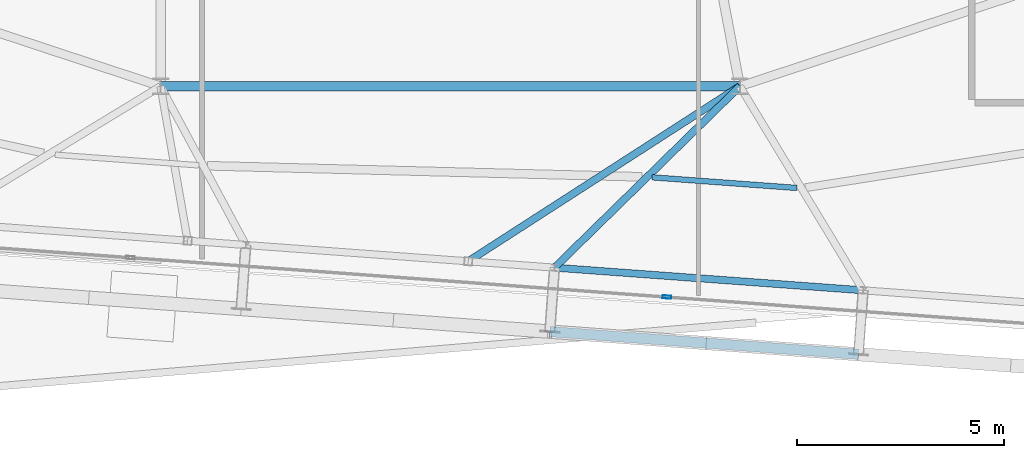
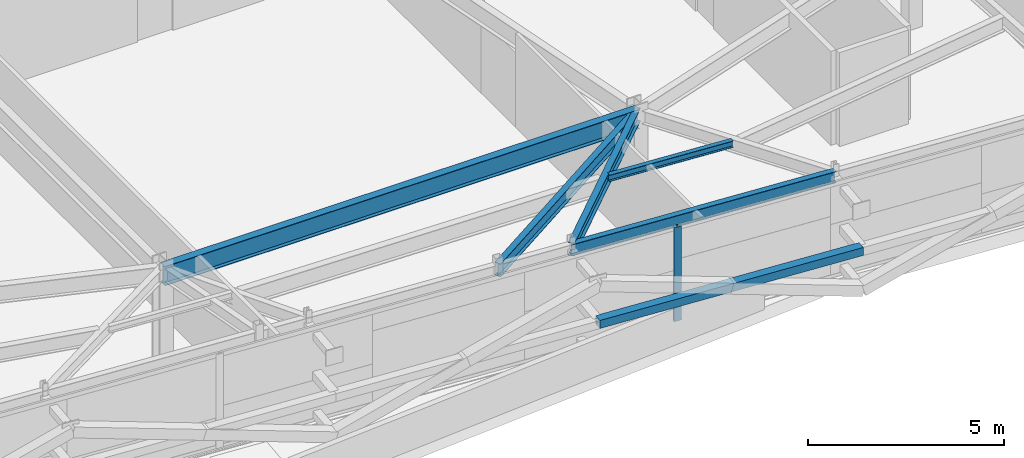
# One storey, part 12 of 37: 5 beams, 2 members, 1 element without a shape of its own.
"""IFC4 building model written with IfcOpenShell, lengths in metres."""

from ifc_helpers import new_model, si_unit, direction, frame, origin, origin_2d, place, context, subcontext, project, spatial, hollow_rectangle, i_section, extrude, source, transform, mapped, material, layer, layer_set, material_profile, profile_set, type_object, element, aggregate, save


model = new_model("IFC4")

# Units and contexts
model_context = context("Model", 3, precision=1e-05, world=origin(), true_north=direction((0.0, 1.0)))
body_context = subcontext(model_context, "Body", "Model", "MODEL_VIEW")
ifc_project = project(units=[si_unit("LENGTHUNIT", "METRE"), si_unit("AREAUNIT", "SQUARE_METRE"), si_unit("VOLUMEUNIT", "CUBIC_METRE"), si_unit("PLANEANGLEUNIT", "RADIAN"), si_unit("MASSUNIT", "GRAM", prefix="KILO")], contexts=[model_context])

# Site, building, storey
site_placement = place(None, origin())
site = spatial("IfcSite", under=ifc_project, at=site_placement, CompositionType="ELEMENT")
building_placement = place(site_placement, origin())
building = spatial("IfcBuilding", under=site, at=building_placement, Name="Taldren Reach Tower", CompositionType="ELEMENT")
storey_placement = place(building_placement, frame((0.0, 0.0, 211.39990234375)))
storey = spatial("IfcBuildingStorey", under=building, at=storey_placement, Name="L64", CompositionType="ELEMENT", Elevation=211.39990234375)

# Beams
ifc_material_1 = material(Name="Steel Gr 350 (350PLUS)", Category="steel")
ifc_material_profile_1 = material_profile(ifc_material_1, i_section(OverallWidth=0.22802734375, OverallDepth=0.60205078125, WebThickness=0.010498046875, FlangeThickness=0.014892578125, at=origin_2d()), Name="610UB101")
ifc_profile_set_1 = profile_set([ifc_material_profile_1], Name="Steel Gr 350 (350PLUS)")
beam_type_1 = type_object("IfcBeamType", Name="BM-UB610B", PredefinedType="BEAM", material=ifc_profile_set_1)
shared_shape_1 = source(origin(), body_context, "Body", "SweptSolid", [
    extrude(i_section(OverallWidth=0.22802734375, OverallDepth=0.60205078125, WebThickness=0.010498046875, FlangeThickness=0.014892578125, at=origin_2d()), origin(), (0.0, 0.0, 1.0), 14.0),
])
beam_1_placement = place(storey_placement, frame((28.0, 9.199951171875, 2.629150390625), z_axis=(1.0, 0.0, 0.0), x_axis=(0.0, 1.0, 0.0)))
element("IfcBeam", 1, at=beam_1_placement, inside=storey, type_object=beam_type_1, Name="Core-spine girder L64-SP11", PredefinedType="BEAM", context=body_context, shape_type="MappedRepresentation", body=[
    mapped(shared_shape_1, transform((0.0, 0.0, 0.0), scale=1.0)),
])
ifc_material_profile_2 = material_profile(ifc_material_1, i_section(OverallWidth=0.172119140625, OverallDepth=0.35888671875, WebThickness=0.008056640625, FlangeThickness=0.012939453125, at=origin_2d()), Name="360UB56.7")
ifc_profile_set_2 = profile_set([ifc_material_profile_2], Name="Steel Gr 350 (350PLUS)")
beam_type_2 = type_object("IfcBeamType", Name="SP-UB360", PredefinedType="SPANDREL", material=ifc_profile_set_2)
shared_shape_2 = source(origin(), body_context, "Body", "SweptSolid", [
    extrude(i_section(OverallWidth=0.172119140625, OverallDepth=0.35888671875, WebThickness=0.008056640625, FlangeThickness=0.012939453125, at=origin_2d()), origin(), (0.0, 0.0, 1.0), 7.479736328125),
])
beam_2_placement = place(storey_placement, frame((37.5205078125, 4.81689453125, 2.75048828125), z_axis=(0.997314045547, -0.073244075215, 0.0), x_axis=(0.073244075215, 0.997314045547, 0.0)))
element("IfcBeam", 2, at=beam_2_placement, inside=storey, type_object=beam_type_2, Name="Perimeter spandrel B5 S4-S5 L64", PredefinedType="SPANDREL", context=body_context, shape_type="MappedRepresentation", body=[
    mapped(shared_shape_2, transform((0.0, 0.0, 0.0), scale=1.0)),
])
ifc_material_profile_3 = material_profile(ifc_material_1, i_section(OverallWidth=0.177978515625, OverallDepth=0.406005859375, WebThickness=0.0078125, FlangeThickness=0.0126953125, at=origin_2d()), Name="410UB59.7")
ifc_profile_set_3 = profile_set([ifc_material_profile_3], Name="Steel Gr 350 (350PLUS)")
beam_type_3 = type_object("IfcBeamType", Name="BM-UB410", PredefinedType="BEAM", material=ifc_profile_set_3)
shared_shape_3 = source(origin(), body_context, "Body", "SweptSolid", [
    extrude(i_section(OverallWidth=0.177978515625, OverallDepth=0.406005859375, WebThickness=0.0078125, FlangeThickness=0.0126953125, at=origin_2d()), origin(), (0.0, 0.0, 1.0), 7.80908203125),
])
beam_3_placement = place(storey_placement, frame((42.0, 9.199951171875, 2.72705078125), z_axis=(-0.840564391699, -0.541711642304, 0.0), x_axis=(0.541711642304, -0.840564391699, 0.0)))
element("IfcBeam", 3, at=beam_3_placement, inside=storey, type_object=beam_type_3, Name="Primary floor girder B5-PJ2 L64", PredefinedType="BEAM", context=body_context, shape_type="MappedRepresentation", body=[
    mapped(shared_shape_3, transform((0.0, 0.0, 0.0), scale=1.0)),
])
shared_shape_4 = source(origin(), body_context, "Body", "SweptSolid", [
    extrude(i_section(OverallWidth=0.177978515625, OverallDepth=0.406005859375, WebThickness=0.0078125, FlangeThickness=0.0126953125, at=origin_2d()), origin(), (0.0, 0.0, 1.0), 6.26708984375),
])
beam_4_placement = place(storey_placement, frame((42.0, 9.199951171875, 2.72705078125), z_axis=(-0.71475866888, -0.699371178461, 0.0), x_axis=(0.699371178461, -0.71475866888, 0.0)))
element("IfcBeam", 4, at=beam_4_placement, inside=storey, type_object=beam_type_3, Name="Primary floor girder B5-S4 L64", PredefinedType="BEAM", context=body_context, shape_type="MappedRepresentation", body=[
    mapped(shared_shape_4, transform((0.0, 0.0, 0.0), scale=1.0)),
])
ifc_material_2 = material(Name="Steel Gr 300 (300PLUS, 300 MPa)", Category="steel")
ifc_material_profile_4 = material_profile(ifc_material_2, i_section(OverallWidth=0.134033203125, OverallDepth=0.20703125, WebThickness=0.00634765625, FlangeThickness=0.009521484375, at=origin_2d()), Name="200UB29.8")
ifc_profile_set_4 = profile_set([ifc_material_profile_4], Name="Steel Gr 300 (300PLUS, 300 MPa)")
beam_type_4 = type_object("IfcBeamType", Name="JS-UB200", PredefinedType="JOIST", material=ifc_profile_set_4)
shared_shape_5 = source(origin(), body_context, "Body", "SweptSolid", [
    extrude(i_section(OverallWidth=0.134033203125, OverallDepth=0.20703125, WebThickness=0.00634765625, FlangeThickness=0.009521484375, at=origin_2d()), origin(), (0.0, 0.0, 1.0), 3.51220703125),
])
beam_5_placement = place(storey_placement, frame((39.878662109375, 6.999755859375, 2.82666015625), z_axis=(0.997312333235, -0.073267386856, 0.0), x_axis=(0.073267386856, 0.997312333235, 0.0)))
element("IfcBeam", 5, at=beam_5_placement, inside=storey, type_object=beam_type_4, Name="Secondary floor joist B5 J4 L64", PredefinedType="JOIST", context=body_context, shape_type="MappedRepresentation", body=[
    mapped(shared_shape_5, transform((0.0, 0.0, 0.0), scale=1.0)),
])

# Member
ifc_material_3 = material(Name="Steel Gr 350 (C350L0)", Category="steel")
ifc_material_profile_5 = material_profile(ifc_material_3, hollow_rectangle(XDim=0.25, YDim=0.25, WallThickness=0.010009765625, at=origin_2d()), Name="250x250x10.0SHS")
ifc_profile_set_5 = profile_set([ifc_material_profile_5], Name="Steel Gr 350 (C350L0)")
member_type_1 = type_object("IfcMemberType", Name="MB-POST250", PredefinedType="POST", material=ifc_profile_set_5)
shared_shape_6 = source(origin(), body_context, "Body", "SweptSolid", [
    extrude(hollow_rectangle(XDim=0.25, YDim=0.25, WallThickness=0.010009765625, at=origin_2d()), origin(), (0.0, 0.0, 1.0), 7.479736328125),
])
member_1_placement = place(storey_placement, frame((37.406982421875, 3.27099609375, 1.43505859375), z_axis=(0.997314045547, -0.073244075215, 0.0), x_axis=(0.073244075215, 0.997314045547, 0.0)))
element("IfcMember", 6, at=member_1_placement, inside=storey, type_object=member_type_1, Name="Exoskeleton mid-height ring chord B5-S4 L64", PredefinedType="POST", context=body_context, shape_type="MappedRepresentation", body=[
    mapped(shared_shape_6, transform((0.0, 0.0, 0.0), scale=1.0)),
])

# Curtain wall, member
ifc_material_4 = material(Name="Aluminium and Low-E Glass Unitised System", Category="aluminium")
ifc_layer = layer(ifc_material_4, 0.159912109375)
ifc_layer_set = layer_set([ifc_layer], Name="Aluminium and Low-E Glass Unitised System")
curtain_wall_type = type_object("IfcCurtainWallType", Name="CW-SYS-6", PredefinedType="NOTDEFINED", material=ifc_layer_set)
curtain_wall_placement = place(storey_placement, origin())
curtain_wall = element("IfcCurtainWall", 7, at=curtain_wall_placement, inside=storey, type_object=curtain_wall_type, Name="Unitised curtain wall CW-L64-S", PredefinedType="NOTDEFINED")
ifc_material_5 = material(Name="Anodised Aluminium 6063-T6", Category="aluminium")
ifc_material_profile_6 = material_profile(ifc_material_5, hollow_rectangle(XDim=0.074951171875, YDim=0.2099609375, WallThickness=0.00439453125, at=origin_2d()), Name="ALU-210x75x4.5RHS")
ifc_profile_set_6 = profile_set([ifc_material_profile_6], Name="Anodised Aluminium 6063-T6")
member_type_2 = type_object("IfcMemberType", Name="CW-MUL-200", PredefinedType="MULLION", material=ifc_profile_set_6)
shared_shape_7 = source(origin(), body_context, "Body", "SweptSolid", [
    extrude(hollow_rectangle(XDim=0.074951171875, YDim=0.2099609375, WallThickness=0.00439453125, at=origin_2d()), origin(), (0.0, 0.0, 1.0), 2.93017578125),
])
member_2_placement = place(storey_placement, frame((40.235595703125, 4.10595703125, 0.0), z_axis=(0.0, 0.0, 1.0), x_axis=(0.073238213716, 0.997314476006, 0.0)))
member_2 = element("IfcMember", 8, at=member_2_placement, type_object=member_type_2, Name="CW-6 mullion 3", PredefinedType="MULLION", context=body_context, shape_type="MappedRepresentation", body=[
    mapped(shared_shape_7, transform((0.0, 0.0, 0.0), scale=1.0)),
])
aggregate(curtain_wall, [member_2])

save(model, "model.ifc")
